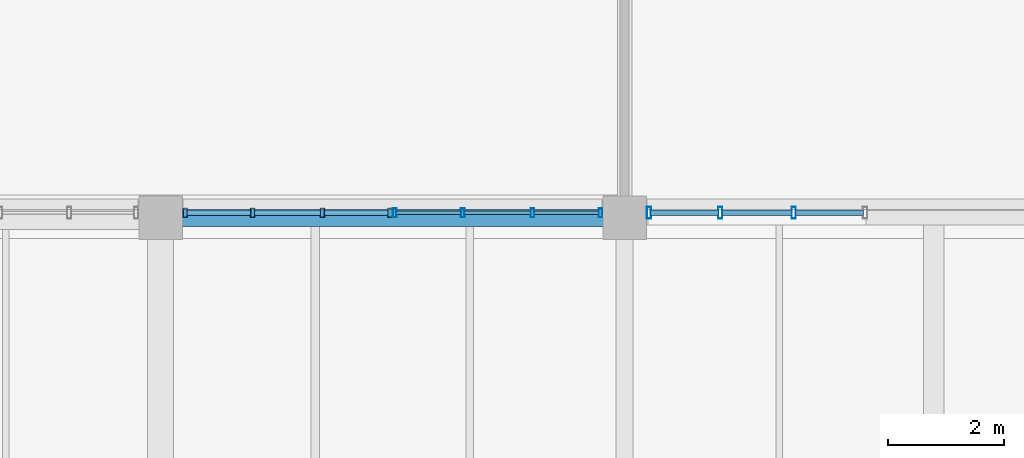
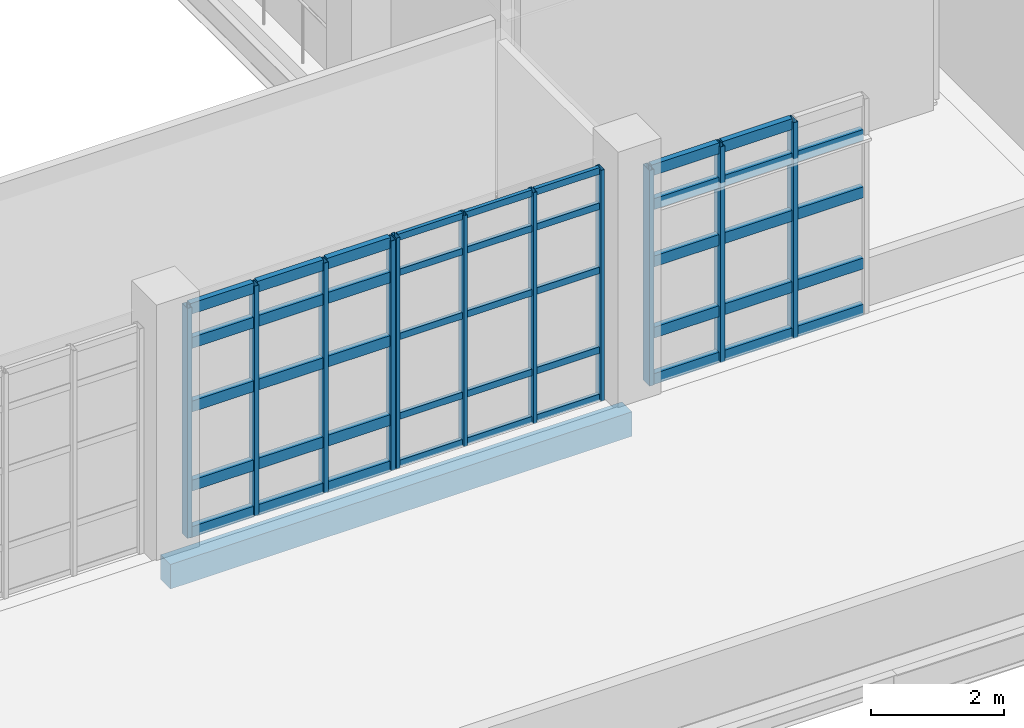
# One storey, part 17 of 102: 55 members, 1 beam, 3 elements without a shape of their own.
"""IFC4 building model written with IfcOpenShell, lengths in metres."""

from ifc_helpers import new_model, si_unit, derived_unit, direction, frame, origin, origin_2d, place, context, subcontext, project, spatial, rectangle, hollow_rectangle, extrude, material, layer, layer_set, material_profile, profile_set, type_object, element, aggregate, save


model = new_model("IFC4")

# Units and contexts
model_context = context("Model", 3, precision=1e-05, world=origin(), true_north=direction((0.0, 1.0)))
body_context = subcontext(model_context, "Body", "Model", "MODEL_VIEW")
ifc_project = project(units=[si_unit("LENGTHUNIT", "METRE"), si_unit("AREAUNIT", "SQUARE_METRE"), si_unit("VOLUMEUNIT", "CUBIC_METRE"), si_unit("PLANEANGLEUNIT", "RADIAN"), si_unit("MASSUNIT", "GRAM", prefix="KILO"), derived_unit("THERMALTRANSMITTANCEUNIT", [(si_unit("POWERUNIT", "WATT"), 1), (si_unit("LENGTHUNIT", "METRE"), -2), (si_unit("THERMODYNAMICTEMPERATUREUNIT", "KELVIN"), -1)])], contexts=[model_context])

# Site, building, storey
site_placement = place(None, origin())
site = spatial("IfcSite", under=ifc_project, at=site_placement, CompositionType="ELEMENT")
building_placement = place(site_placement, origin())
building = spatial("IfcBuilding", under=site, at=building_placement, Name="Nallur Shell Playhouse", CompositionType="ELEMENT")
storey_placement = place(building_placement, frame((0.0, 0.0, 15.0)))
storey = spatial("IfcBuildingStorey", under=building, at=storey_placement, Name="L04", CompositionType="ELEMENT", Elevation=15.0)

# Beam
ifc_material_1 = material(Name="Concrete M35", Category="concrete")
ifc_material_profile_1 = material_profile(ifc_material_1, rectangle(XDim=0.300048828125, YDim=0.449951171875, at=origin_2d()), Name="RC 300x450")
ifc_profile_set_1 = profile_set([ifc_material_profile_1], Name="Concrete M35")
beam_type = type_object("IfcBeamType", Name="BM-SPN-300x450", PredefinedType="SPANDREL", material=ifc_profile_set_1)
beam_placement = place(storey_placement, frame((48.0, 16.0, -0.485107421875), z_axis=(1.0, 0.0, 0.0), x_axis=(0.0, 1.0, 0.0)))
element("IfcBeam", 1, at=beam_placement, inside=storey, type_object=beam_type, Name="L04 girder X-B-752", PredefinedType="SPANDREL", context=body_context, shape_type="SweptSolid", body=[
    extrude(rectangle(XDim=0.300048828125, YDim=0.449951171875, at=origin_2d()), origin(), (0.0, 0.0, 1.0), 8.0),
])

# Curtain wall, members
ifc_material_2 = material(Name="Anodised Aluminium Double-Glazed Facade System", Category="aluminium")
ifc_layer_1 = layer(ifc_material_2, 0.159912109375)
ifc_layer_set_1 = layer_set([ifc_layer_1], Name="Anodised Aluminium Double-Glazed Facade System")
curtain_wall_type_1 = type_object("IfcCurtainWallType", Name="CW-UNIT-06", PredefinedType="NOTDEFINED", material=ifc_layer_set_1)
curtain_wall_1_placement = place(storey_placement, origin())
curtain_wall_1 = element("IfcCurtainWall", 2, at=curtain_wall_1_placement, inside=storey, type_object=curtain_wall_type_1, Name="Unitised curtain wall CW-134 (L04)", PredefinedType="NOTDEFINED")
ifc_material_3 = material(Name="Aluminium Alloy 6063-T6 Mullion", Category="aluminium")
ifc_material_profile_2 = material_profile(ifc_material_3, hollow_rectangle(XDim=0.080078125, YDim=0.159912109375, WallThickness=0.006103515625, at=origin_2d()), Name="RHS 160x80x6")
ifc_profile_set_2 = profile_set([ifc_material_profile_2], Name="Aluminium Alloy 6063-T6 Mullion")
member_type_1 = type_object("IfcMemberType", Name="MB-CW-MUL150", PredefinedType="MULLION", material=ifc_profile_set_2)
member_1_placement = place(storey_placement, frame((51.955078125, 16.090087890625, -0.014892578125), z_axis=(0.0, 0.0, 1.0), x_axis=(-1.0, 0.0, 0.0)))
member_1 = element("IfcMember", 3, at=member_1_placement, type_object=member_type_1, Name="CW-06 mullion 1", PredefinedType="MULLION", context=body_context, shape_type="SweptSolid", body=[
    extrude(hollow_rectangle(XDim=0.080078125, YDim=0.159912109375, WallThickness=0.006103515625, at=origin_2d()), origin(), (0.0, 0.0, 1.0), 4.2138671875),
])
member_2_placement = place(storey_placement, frame((50.791015625, 16.090087890625, -0.014892578125), z_axis=(0.0, 0.0, 1.0), x_axis=(-1.0, 0.0, 0.0)))
member_2 = element("IfcMember", 4, at=member_2_placement, type_object=member_type_1, Name="CW-06 mullion 2", PredefinedType="MULLION", context=body_context, shape_type="SweptSolid", body=[
    extrude(hollow_rectangle(XDim=0.080078125, YDim=0.159912109375, WallThickness=0.006103515625, at=origin_2d()), origin(), (0.0, 0.0, 1.0), 4.2138671875),
])
member_3_placement = place(storey_placement, frame((49.5869140625, 16.090087890625, -0.014892578125), z_axis=(0.0, 0.0, 1.0), x_axis=(-1.0, 0.0, 0.0)))
member_3 = element("IfcMember", 5, at=member_3_placement, type_object=member_type_1, Name="CW-06 mullion 3", PredefinedType="MULLION", context=body_context, shape_type="SweptSolid", body=[
    extrude(hollow_rectangle(XDim=0.080078125, YDim=0.159912109375, WallThickness=0.006103515625, at=origin_2d()), origin(), (0.0, 0.0, 1.0), 4.2138671875),
])
member_4_placement = place(storey_placement, frame((48.423095703125, 16.090087890625, -0.014892578125), z_axis=(0.0, 0.0, 1.0), x_axis=(-1.0, 0.0, 0.0)))
member_4 = element("IfcMember", 6, at=member_4_placement, type_object=member_type_1, Name="CW-06 mullion 4", PredefinedType="MULLION", context=body_context, shape_type="SweptSolid", body=[
    extrude(hollow_rectangle(XDim=0.080078125, YDim=0.159912109375, WallThickness=0.006103515625, at=origin_2d()), origin(), (0.0, 0.0, 1.0), 4.2138671875),
])

ifc_layer_2 = layer(ifc_material_2, 0.179931640625)
ifc_layer_set_2 = layer_set([ifc_layer_2], Name="Anodised Aluminium Double-Glazed Facade System")
curtain_wall_type_2 = type_object("IfcCurtainWallType", Name="CW-UNIT-05", PredefinedType="NOTDEFINED", material=ifc_layer_set_2)
curtain_wall_2_placement = place(storey_placement, origin())
curtain_wall_2 = element("IfcCurtainWall", 7, at=curtain_wall_2_placement, inside=storey, type_object=curtain_wall_type_2, Name="Unitised curtain wall CW-133 (L04)", PredefinedType="NOTDEFINED")
ifc_material_profile_3 = material_profile(ifc_material_3, hollow_rectangle(XDim=0.06494140625, YDim=0.159912109375, WallThickness=0.00390625, at=origin_2d()), Name="ALU 65x160x4")
ifc_profile_set_3 = profile_set([ifc_material_profile_3], Name="Aluminium Alloy 6063-T6 Mullion")
member_type_2 = type_object("IfcMemberType", Name="MB-CW-MUL160", PredefinedType="MULLION", material=ifc_profile_set_3)
member_5_placement = place(storey_placement, frame((55.58447265625, 16.090087890625, -0.014892578125), z_axis=(0.0, 0.0, 1.0), x_axis=(-1.0, 0.0, 0.0)))
member_5 = element("IfcMember", 8, at=member_5_placement, type_object=member_type_2, Name="CW-05 mullion 1", PredefinedType="MULLION", context=body_context, shape_type="SweptSolid", body=[
    extrude(hollow_rectangle(XDim=0.06494140625, YDim=0.159912109375, WallThickness=0.00390625, at=origin_2d()), origin(), (0.0, 0.0, 1.0), 4.23388671875),
])
member_6_placement = place(storey_placement, frame((54.4130859375, 16.090087890625, -0.014892578125), z_axis=(0.0, 0.0, 1.0), x_axis=(-1.0, 0.0, 0.0)))
member_6 = element("IfcMember", 9, at=member_6_placement, type_object=member_type_2, Name="CW-05 mullion 2", PredefinedType="MULLION", context=body_context, shape_type="SweptSolid", body=[
    extrude(hollow_rectangle(XDim=0.06494140625, YDim=0.159912109375, WallThickness=0.00390625, at=origin_2d()), origin(), (0.0, 0.0, 1.0), 4.23388671875),
])
member_7_placement = place(storey_placement, frame((53.208984375, 16.090087890625, -0.014892578125), z_axis=(0.0, 0.0, 1.0), x_axis=(-1.0, 0.0, 0.0)))
member_7 = element("IfcMember", 10, at=member_7_placement, type_object=member_type_2, Name="CW-05 mullion 3", PredefinedType="MULLION", context=body_context, shape_type="SweptSolid", body=[
    extrude(hollow_rectangle(XDim=0.06494140625, YDim=0.159912109375, WallThickness=0.00390625, at=origin_2d()), origin(), (0.0, 0.0, 1.0), 4.23388671875),
])
member_8_placement = place(storey_placement, frame((52.03759765625, 16.090087890625, -0.014892578125), z_axis=(0.0, 0.0, 1.0), x_axis=(-1.0, 0.0, 0.0)))
member_8 = element("IfcMember", 11, at=member_8_placement, type_object=member_type_2, Name="CW-05 mullion 4", PredefinedType="MULLION", context=body_context, shape_type="SweptSolid", body=[
    extrude(hollow_rectangle(XDim=0.06494140625, YDim=0.159912109375, WallThickness=0.00390625, at=origin_2d()), origin(), (0.0, 0.0, 1.0), 4.23388671875),
])

ifc_layer_3 = layer(ifc_material_2, 0.176025390625)
ifc_layer_set_3 = layer_set([ifc_layer_3], Name="Anodised Aluminium Double-Glazed Facade System")
curtain_wall_type_3 = type_object("IfcCurtainWallType", Name="CW-UNIT-04", PredefinedType="NOTDEFINED", material=ifc_layer_set_3)
curtain_wall_3_placement = place(storey_placement, origin())
curtain_wall_3 = element("IfcCurtainWall", 12, at=curtain_wall_3_placement, inside=storey, type_object=curtain_wall_type_3, Name="Unitised curtain wall CW-132 (L04)", PredefinedType="NOTDEFINED")
ifc_material_profile_4 = material_profile(ifc_material_3, hollow_rectangle(XDim=0.074951171875, YDim=0.199951171875, WallThickness=0.0048828125, at=origin_2d()), Name="ALU 75x200x5")
ifc_profile_set_4 = profile_set([ifc_material_profile_4], Name="Aluminium Alloy 6063-T6 Mullion")
member_type_3 = type_object("IfcMemberType", Name="MB-CW-MUL180", PredefinedType="MULLION", material=ifc_profile_set_4)
member_9_placement = place(storey_placement, frame((58.918701171875, 16.090087890625, -0.014892578125), z_axis=(0.0, 0.0, 1.0), x_axis=(-1.0, 0.0, 0.0)))
member_9 = element("IfcMember", 13, at=member_9_placement, type_object=member_type_3, Name="CW-04 mullion 2", PredefinedType="MULLION", context=body_context, shape_type="SweptSolid", body=[
    extrude(hollow_rectangle(XDim=0.074951171875, YDim=0.199951171875, WallThickness=0.0048828125, at=origin_2d()), origin(), (0.0, 0.0, 1.0), 3.953857421875),
])
member_10_placement = place(storey_placement, frame((57.65087890625, 16.090087890625, -0.014892578125), z_axis=(0.0, 0.0, 1.0), x_axis=(-1.0, 0.0, 0.0)))
member_10 = element("IfcMember", 14, at=member_10_placement, type_object=member_type_3, Name="CW-04 mullion 3", PredefinedType="MULLION", context=body_context, shape_type="SweptSolid", body=[
    extrude(hollow_rectangle(XDim=0.074951171875, YDim=0.199951171875, WallThickness=0.0048828125, at=origin_2d()), origin(), (0.0, 0.0, 1.0), 3.953857421875),
])
member_11_placement = place(storey_placement, frame((56.42041015625, 16.090087890625, -0.014892578125), z_axis=(0.0, 0.0, 1.0), x_axis=(-1.0, 0.0, 0.0)))
member_11 = element("IfcMember", 15, at=member_11_placement, type_object=member_type_3, Name="CW-04 mullion 4", PredefinedType="MULLION", context=body_context, shape_type="SweptSolid", body=[
    extrude(hollow_rectangle(XDim=0.074951171875, YDim=0.199951171875, WallThickness=0.0048828125, at=origin_2d()), origin(), (0.0, 0.0, 1.0), 3.953857421875),
])

# Member
ifc_material_4 = material(Name="Aluminium Alloy 6063-T6 Transom", Category="aluminium")
ifc_material_profile_5 = material_profile(ifc_material_4, hollow_rectangle(XDim=0.06494140625, YDim=0.1201171875, WallThickness=0.00390625, at=origin_2d()), Name="ALU 65x120x4")
ifc_profile_set_5 = profile_set([ifc_material_profile_5], Name="Aluminium Alloy 6063-T6 Transom")
member_type_4 = type_object("IfcMemberType", Name="MB-CW-TRN120", PredefinedType="USERDEFINED", material=ifc_profile_set_5)
member_12_placement = place(storey_placement, frame((55.56005859375, 16.090087890625, 0.032470703125), z_axis=(-1.0, 0.0, 0.0), x_axis=(0.0, -1.0, 0.0)))
member_12 = element("IfcMember", 16, at=member_12_placement, type_object=member_type_4, Name="CW-05 transom 1.1", ObjectType="TRANSOM", PredefinedType="USERDEFINED", context=body_context, shape_type="SweptSolid", body=[
    extrude(hollow_rectangle(XDim=0.06494140625, YDim=0.1201171875, WallThickness=0.00390625, at=origin_2d()), origin(), (0.0, 0.0, 1.0), 1.12255859375),
])

member_13_placement = place(storey_placement, frame((55.56005859375, 16.090087890625, 0.89990234375), z_axis=(-1.0, 0.0, 0.0), x_axis=(0.0, -1.0, 0.0)))
member_13 = element("IfcMember", 17, at=member_13_placement, type_object=member_type_4, Name="CW-05 transom 1.2", ObjectType="TRANSOM", PredefinedType="USERDEFINED", context=body_context, shape_type="SweptSolid", body=[
    extrude(hollow_rectangle(XDim=0.06494140625, YDim=0.1201171875, WallThickness=0.00390625, at=origin_2d()), origin(), (0.0, 0.0, 1.0), 1.12255859375),
])

member_14_placement = place(storey_placement, frame((55.56005859375, 16.090087890625, 2.360107421875), z_axis=(-1.0, 0.0, 0.0), x_axis=(0.0, -1.0, 0.0)))
member_14 = element("IfcMember", 18, at=member_14_placement, type_object=member_type_4, Name="CW-05 transom 1.3", ObjectType="TRANSOM", PredefinedType="USERDEFINED", context=body_context, shape_type="SweptSolid", body=[
    extrude(hollow_rectangle(XDim=0.06494140625, YDim=0.1201171875, WallThickness=0.00390625, at=origin_2d()), origin(), (0.0, 0.0, 1.0), 1.12255859375),
])

member_15_placement = place(storey_placement, frame((55.56005859375, 16.090087890625, 3.534912109375), z_axis=(-1.0, 0.0, 0.0), x_axis=(0.0, -1.0, 0.0)))
member_15 = element("IfcMember", 19, at=member_15_placement, type_object=member_type_4, Name="CW-05 transom 1.4", ObjectType="TRANSOM", PredefinedType="USERDEFINED", context=body_context, shape_type="SweptSolid", body=[
    extrude(hollow_rectangle(XDim=0.06494140625, YDim=0.1201171875, WallThickness=0.00390625, at=origin_2d()), origin(), (0.0, 0.0, 1.0), 1.12255859375),
])

member_16_placement = place(storey_placement, frame((55.56005859375, 16.090087890625, 4.1826171875), z_axis=(-1.0, 0.0, 0.0), x_axis=(0.0, -1.0, 0.0)))
member_16 = element("IfcMember", 20, at=member_16_placement, type_object=member_type_4, Name="CW-05 transom 1.5", ObjectType="TRANSOM", PredefinedType="USERDEFINED", context=body_context, shape_type="SweptSolid", body=[
    extrude(hollow_rectangle(XDim=0.06494140625, YDim=0.1201171875, WallThickness=0.00390625, at=origin_2d()), origin(), (0.0, 0.0, 1.0), 1.12255859375),
])

member_17_placement = place(storey_placement, frame((54.388427734375, 16.090087890625, 0.032470703125), z_axis=(-1.0, 0.0, 0.0), x_axis=(0.0, -1.0, 0.0)))
member_17 = element("IfcMember", 21, at=member_17_placement, type_object=member_type_4, Name="CW-05 transom 2.1", ObjectType="TRANSOM", PredefinedType="USERDEFINED", context=body_context, shape_type="SweptSolid", body=[
    extrude(hollow_rectangle(XDim=0.06494140625, YDim=0.1201171875, WallThickness=0.00390625, at=origin_2d()), origin(), (0.0, 0.0, 1.0), 1.155029296875),
])

member_18_placement = place(storey_placement, frame((54.388427734375, 16.090087890625, 0.89990234375), z_axis=(-1.0, 0.0, 0.0), x_axis=(0.0, -1.0, 0.0)))
member_18 = element("IfcMember", 22, at=member_18_placement, type_object=member_type_4, Name="CW-05 transom 2.2", ObjectType="TRANSOM", PredefinedType="USERDEFINED", context=body_context, shape_type="SweptSolid", body=[
    extrude(hollow_rectangle(XDim=0.06494140625, YDim=0.1201171875, WallThickness=0.00390625, at=origin_2d()), origin(), (0.0, 0.0, 1.0), 1.155029296875),
])

member_19_placement = place(storey_placement, frame((54.388427734375, 16.090087890625, 2.360107421875), z_axis=(-1.0, 0.0, 0.0), x_axis=(0.0, -1.0, 0.0)))
member_19 = element("IfcMember", 23, at=member_19_placement, type_object=member_type_4, Name="CW-05 transom 2.3", ObjectType="TRANSOM", PredefinedType="USERDEFINED", context=body_context, shape_type="SweptSolid", body=[
    extrude(hollow_rectangle(XDim=0.06494140625, YDim=0.1201171875, WallThickness=0.00390625, at=origin_2d()), origin(), (0.0, 0.0, 1.0), 1.155029296875),
])

member_20_placement = place(storey_placement, frame((54.388427734375, 16.090087890625, 3.534912109375), z_axis=(-1.0, 0.0, 0.0), x_axis=(0.0, -1.0, 0.0)))
member_20 = element("IfcMember", 24, at=member_20_placement, type_object=member_type_4, Name="CW-05 transom 2.4", ObjectType="TRANSOM", PredefinedType="USERDEFINED", context=body_context, shape_type="SweptSolid", body=[
    extrude(hollow_rectangle(XDim=0.06494140625, YDim=0.1201171875, WallThickness=0.00390625, at=origin_2d()), origin(), (0.0, 0.0, 1.0), 1.155029296875),
])

member_21_placement = place(storey_placement, frame((54.388427734375, 16.090087890625, 4.1826171875), z_axis=(-1.0, 0.0, 0.0), x_axis=(0.0, -1.0, 0.0)))
member_21 = element("IfcMember", 25, at=member_21_placement, type_object=member_type_4, Name="CW-05 transom 2.5", ObjectType="TRANSOM", PredefinedType="USERDEFINED", context=body_context, shape_type="SweptSolid", body=[
    extrude(hollow_rectangle(XDim=0.06494140625, YDim=0.1201171875, WallThickness=0.00390625, at=origin_2d()), origin(), (0.0, 0.0, 1.0), 1.155029296875),
])

member_22_placement = place(storey_placement, frame((53.1845703125, 16.090087890625, 0.032470703125), z_axis=(-1.0, 0.0, 0.0), x_axis=(0.0, -1.0, 0.0)))
member_22 = element("IfcMember", 26, at=member_22_placement, type_object=member_type_4, Name="CW-05 transom 3.1", ObjectType="TRANSOM", PredefinedType="USERDEFINED", context=body_context, shape_type="SweptSolid", body=[
    extrude(hollow_rectangle(XDim=0.06494140625, YDim=0.1201171875, WallThickness=0.00390625, at=origin_2d()), origin(), (0.0, 0.0, 1.0), 1.12255859375),
])

member_23_placement = place(storey_placement, frame((53.1845703125, 16.090087890625, 0.89990234375), z_axis=(-1.0, 0.0, 0.0), x_axis=(0.0, -1.0, 0.0)))
member_23 = element("IfcMember", 27, at=member_23_placement, type_object=member_type_4, Name="CW-05 transom 3.2", ObjectType="TRANSOM", PredefinedType="USERDEFINED", context=body_context, shape_type="SweptSolid", body=[
    extrude(hollow_rectangle(XDim=0.06494140625, YDim=0.1201171875, WallThickness=0.00390625, at=origin_2d()), origin(), (0.0, 0.0, 1.0), 1.12255859375),
])

member_24_placement = place(storey_placement, frame((53.1845703125, 16.090087890625, 2.360107421875), z_axis=(-1.0, 0.0, 0.0), x_axis=(0.0, -1.0, 0.0)))
member_24 = element("IfcMember", 28, at=member_24_placement, type_object=member_type_4, Name="CW-05 transom 3.3", ObjectType="TRANSOM", PredefinedType="USERDEFINED", context=body_context, shape_type="SweptSolid", body=[
    extrude(hollow_rectangle(XDim=0.06494140625, YDim=0.1201171875, WallThickness=0.00390625, at=origin_2d()), origin(), (0.0, 0.0, 1.0), 1.12255859375),
])

member_25_placement = place(storey_placement, frame((53.1845703125, 16.090087890625, 3.534912109375), z_axis=(-1.0, 0.0, 0.0), x_axis=(0.0, -1.0, 0.0)))
member_25 = element("IfcMember", 29, at=member_25_placement, type_object=member_type_4, Name="CW-05 transom 3.4", ObjectType="TRANSOM", PredefinedType="USERDEFINED", context=body_context, shape_type="SweptSolid", body=[
    extrude(hollow_rectangle(XDim=0.06494140625, YDim=0.1201171875, WallThickness=0.00390625, at=origin_2d()), origin(), (0.0, 0.0, 1.0), 1.12255859375),
])

member_26_placement = place(storey_placement, frame((53.1845703125, 16.090087890625, 4.1826171875), z_axis=(-1.0, 0.0, 0.0), x_axis=(0.0, -1.0, 0.0)))
member_26 = element("IfcMember", 30, at=member_26_placement, type_object=member_type_4, Name="CW-05 transom 3.5", ObjectType="TRANSOM", PredefinedType="USERDEFINED", context=body_context, shape_type="SweptSolid", body=[
    extrude(hollow_rectangle(XDim=0.06494140625, YDim=0.1201171875, WallThickness=0.00390625, at=origin_2d()), origin(), (0.0, 0.0, 1.0), 1.12255859375),
])

aggregate(curtain_wall_2, [member_5, member_6, member_7, member_8, member_12, member_13, member_14, member_15, member_16, member_17, member_18, member_19, member_20, member_21, member_22, member_23, member_24, member_25, member_26])

ifc_material_profile_6 = material_profile(ifc_material_4, hollow_rectangle(XDim=0.10009765625, YDim=0.199951171875, WallThickness=0.008056640625, at=origin_2d()), Name="RHS 200x100x8")
ifc_profile_set_6 = profile_set([ifc_material_profile_6], Name="Aluminium Alloy 6063-T6 Transom")
member_type_5 = type_object("IfcMemberType", Name="MB-CW-TRN140", PredefinedType="USERDEFINED", material=ifc_profile_set_6)
member_27_placement = place(storey_placement, frame((60.119384765625, 16.090087890625, 0.050048828125), z_axis=(-1.0, 0.0, 0.0), x_axis=(0.0, -1.0, 0.0)))
member_27 = element("IfcMember", 31, at=member_27_placement, type_object=member_type_5, Name="CW-04 transom 1.1", ObjectType="TRANSOM", PredefinedType="USERDEFINED", context=body_context, shape_type="SweptSolid", body=[
    extrude(hollow_rectangle(XDim=0.10009765625, YDim=0.199951171875, WallThickness=0.008056640625, at=origin_2d()), origin(), (0.0, 0.0, 1.0), 1.171142578125),
])

member_28_placement = place(storey_placement, frame((60.119384765625, 16.090087890625, 0.89990234375), z_axis=(-1.0, 0.0, 0.0), x_axis=(0.0, -1.0, 0.0)))
member_28 = element("IfcMember", 32, at=member_28_placement, type_object=member_type_5, Name="CW-04 transom 1.2", ObjectType="TRANSOM", PredefinedType="USERDEFINED", context=body_context, shape_type="SweptSolid", body=[
    extrude(hollow_rectangle(XDim=0.10009765625, YDim=0.199951171875, WallThickness=0.008056640625, at=origin_2d()), origin(), (0.0, 0.0, 1.0), 1.171142578125),
])

member_29_placement = place(storey_placement, frame((60.119384765625, 16.090087890625, 2.2041015625), z_axis=(-1.0, 0.0, 0.0), x_axis=(0.0, -1.0, 0.0)))
member_29 = element("IfcMember", 33, at=member_29_placement, type_object=member_type_5, Name="CW-04 transom 1.3", ObjectType="TRANSOM", PredefinedType="USERDEFINED", context=body_context, shape_type="SweptSolid", body=[
    extrude(hollow_rectangle(XDim=0.10009765625, YDim=0.199951171875, WallThickness=0.008056640625, at=origin_2d()), origin(), (0.0, 0.0, 1.0), 1.171142578125),
])

member_30_placement = place(storey_placement, frame((60.119384765625, 16.090087890625, 3.2548828125), z_axis=(-1.0, 0.0, 0.0), x_axis=(0.0, -1.0, 0.0)))
member_30 = element("IfcMember", 34, at=member_30_placement, type_object=member_type_5, Name="CW-04 transom 1.4", ObjectType="TRANSOM", PredefinedType="USERDEFINED", context=body_context, shape_type="SweptSolid", body=[
    extrude(hollow_rectangle(XDim=0.10009765625, YDim=0.199951171875, WallThickness=0.008056640625, at=origin_2d()), origin(), (0.0, 0.0, 1.0), 1.171142578125),
])

member_31_placement = place(storey_placement, frame((58.88916015625, 16.090087890625, 0.050048828125), z_axis=(-1.0, 0.0, 0.0), x_axis=(0.0, -1.0, 0.0)))
member_31 = element("IfcMember", 35, at=member_31_placement, type_object=member_type_5, Name="CW-04 transom 2.1", ObjectType="TRANSOM", PredefinedType="USERDEFINED", context=body_context, shape_type="SweptSolid", body=[
    extrude(hollow_rectangle(XDim=0.10009765625, YDim=0.199951171875, WallThickness=0.008056640625, at=origin_2d()), origin(), (0.0, 0.0, 1.0), 1.208740234375),
])

member_32_placement = place(storey_placement, frame((58.88916015625, 16.090087890625, 0.89990234375), z_axis=(-1.0, 0.0, 0.0), x_axis=(0.0, -1.0, 0.0)))
member_32 = element("IfcMember", 36, at=member_32_placement, type_object=member_type_5, Name="CW-04 transom 2.2", ObjectType="TRANSOM", PredefinedType="USERDEFINED", context=body_context, shape_type="SweptSolid", body=[
    extrude(hollow_rectangle(XDim=0.10009765625, YDim=0.199951171875, WallThickness=0.008056640625, at=origin_2d()), origin(), (0.0, 0.0, 1.0), 1.208740234375),
])

member_33_placement = place(storey_placement, frame((58.88916015625, 16.090087890625, 2.2041015625), z_axis=(-1.0, 0.0, 0.0), x_axis=(0.0, -1.0, 0.0)))
member_33 = element("IfcMember", 37, at=member_33_placement, type_object=member_type_5, Name="CW-04 transom 2.3", ObjectType="TRANSOM", PredefinedType="USERDEFINED", context=body_context, shape_type="SweptSolid", body=[
    extrude(hollow_rectangle(XDim=0.10009765625, YDim=0.199951171875, WallThickness=0.008056640625, at=origin_2d()), origin(), (0.0, 0.0, 1.0), 1.208740234375),
])

member_34_placement = place(storey_placement, frame((58.88916015625, 16.090087890625, 3.2548828125), z_axis=(-1.0, 0.0, 0.0), x_axis=(0.0, -1.0, 0.0)))
member_34 = element("IfcMember", 38, at=member_34_placement, type_object=member_type_5, Name="CW-04 transom 2.4", ObjectType="TRANSOM", PredefinedType="USERDEFINED", context=body_context, shape_type="SweptSolid", body=[
    extrude(hollow_rectangle(XDim=0.10009765625, YDim=0.199951171875, WallThickness=0.008056640625, at=origin_2d()), origin(), (0.0, 0.0, 1.0), 1.208740234375),
])

member_35_placement = place(storey_placement, frame((58.88916015625, 16.090087890625, 3.885009765625), z_axis=(-1.0, 0.0, 0.0), x_axis=(0.0, -1.0, 0.0)))
member_35 = element("IfcMember", 39, at=member_35_placement, type_object=member_type_5, Name="CW-04 transom 2.5", ObjectType="TRANSOM", PredefinedType="USERDEFINED", context=body_context, shape_type="SweptSolid", body=[
    extrude(hollow_rectangle(XDim=0.10009765625, YDim=0.199951171875, WallThickness=0.008056640625, at=origin_2d()), origin(), (0.0, 0.0, 1.0), 1.208740234375),
])

member_36_placement = place(storey_placement, frame((57.621337890625, 16.090087890625, 0.050048828125), z_axis=(-1.0, 0.0, 0.0), x_axis=(0.0, -1.0, 0.0)))
member_36 = element("IfcMember", 40, at=member_36_placement, type_object=member_type_5, Name="CW-04 transom 3.1", ObjectType="TRANSOM", PredefinedType="USERDEFINED", context=body_context, shape_type="SweptSolid", body=[
    extrude(hollow_rectangle(XDim=0.10009765625, YDim=0.199951171875, WallThickness=0.008056640625, at=origin_2d()), origin(), (0.0, 0.0, 1.0), 1.17138671875),
])

member_37_placement = place(storey_placement, frame((57.621337890625, 16.090087890625, 0.89990234375), z_axis=(-1.0, 0.0, 0.0), x_axis=(0.0, -1.0, 0.0)))
member_37 = element("IfcMember", 41, at=member_37_placement, type_object=member_type_5, Name="CW-04 transom 3.2", ObjectType="TRANSOM", PredefinedType="USERDEFINED", context=body_context, shape_type="SweptSolid", body=[
    extrude(hollow_rectangle(XDim=0.10009765625, YDim=0.199951171875, WallThickness=0.008056640625, at=origin_2d()), origin(), (0.0, 0.0, 1.0), 1.17138671875),
])

member_38_placement = place(storey_placement, frame((57.621337890625, 16.090087890625, 2.2041015625), z_axis=(-1.0, 0.0, 0.0), x_axis=(0.0, -1.0, 0.0)))
member_38 = element("IfcMember", 42, at=member_38_placement, type_object=member_type_5, Name="CW-04 transom 3.3", ObjectType="TRANSOM", PredefinedType="USERDEFINED", context=body_context, shape_type="SweptSolid", body=[
    extrude(hollow_rectangle(XDim=0.10009765625, YDim=0.199951171875, WallThickness=0.008056640625, at=origin_2d()), origin(), (0.0, 0.0, 1.0), 1.17138671875),
])

member_39_placement = place(storey_placement, frame((57.621337890625, 16.090087890625, 3.2548828125), z_axis=(-1.0, 0.0, 0.0), x_axis=(0.0, -1.0, 0.0)))
member_39 = element("IfcMember", 43, at=member_39_placement, type_object=member_type_5, Name="CW-04 transom 3.4", ObjectType="TRANSOM", PredefinedType="USERDEFINED", context=body_context, shape_type="SweptSolid", body=[
    extrude(hollow_rectangle(XDim=0.10009765625, YDim=0.199951171875, WallThickness=0.008056640625, at=origin_2d()), origin(), (0.0, 0.0, 1.0), 1.17138671875),
])

member_40_placement = place(storey_placement, frame((57.621337890625, 16.090087890625, 3.885009765625), z_axis=(-1.0, 0.0, 0.0), x_axis=(0.0, -1.0, 0.0)))
member_40 = element("IfcMember", 44, at=member_40_placement, type_object=member_type_5, Name="CW-04 transom 3.5", ObjectType="TRANSOM", PredefinedType="USERDEFINED", context=body_context, shape_type="SweptSolid", body=[
    extrude(hollow_rectangle(XDim=0.10009765625, YDim=0.199951171875, WallThickness=0.008056640625, at=origin_2d()), origin(), (0.0, 0.0, 1.0), 1.17138671875),
])

aggregate(curtain_wall_3, [member_9, member_10, member_11, member_27, member_28, member_29, member_30, member_31, member_32, member_33, member_34, member_35, member_36, member_37, member_38, member_39, member_40])

member_41_placement = place(storey_placement, frame((51.923095703125, 16.090087890625, 0.050048828125), z_axis=(-1.0, 0.0, 0.0), x_axis=(0.0, -1.0, 0.0)))
member_41 = element("IfcMember", 45, at=member_41_placement, type_object=member_type_5, Name="CW-06 transom 1.1", ObjectType="TRANSOM", PredefinedType="USERDEFINED", context=body_context, shape_type="SweptSolid", body=[
    extrude(hollow_rectangle(XDim=0.10009765625, YDim=0.199951171875, WallThickness=0.008056640625, at=origin_2d()), origin(), (0.0, 0.0, 1.0), 1.10009765625),
])

member_42_placement = place(storey_placement, frame((51.923095703125, 16.090087890625, 0.89990234375), z_axis=(-1.0, 0.0, 0.0), x_axis=(0.0, -1.0, 0.0)))
member_42 = element("IfcMember", 46, at=member_42_placement, type_object=member_type_5, Name="CW-06 transom 1.2", ObjectType="TRANSOM", PredefinedType="USERDEFINED", context=body_context, shape_type="SweptSolid", body=[
    extrude(hollow_rectangle(XDim=0.10009765625, YDim=0.199951171875, WallThickness=0.008056640625, at=origin_2d()), origin(), (0.0, 0.0, 1.0), 1.10009765625),
])

member_43_placement = place(storey_placement, frame((51.923095703125, 16.090087890625, 2.34912109375), z_axis=(-1.0, 0.0, 0.0), x_axis=(0.0, -1.0, 0.0)))
member_43 = element("IfcMember", 47, at=member_43_placement, type_object=member_type_5, Name="CW-06 transom 1.3", ObjectType="TRANSOM", PredefinedType="USERDEFINED", context=body_context, shape_type="SweptSolid", body=[
    extrude(hollow_rectangle(XDim=0.10009765625, YDim=0.199951171875, WallThickness=0.008056640625, at=origin_2d()), origin(), (0.0, 0.0, 1.0), 1.10009765625),
])

member_44_placement = place(storey_placement, frame((51.923095703125, 16.090087890625, 3.514892578125), z_axis=(-1.0, 0.0, 0.0), x_axis=(0.0, -1.0, 0.0)))
member_44 = element("IfcMember", 48, at=member_44_placement, type_object=member_type_5, Name="CW-06 transom 1.4", ObjectType="TRANSOM", PredefinedType="USERDEFINED", context=body_context, shape_type="SweptSolid", body=[
    extrude(hollow_rectangle(XDim=0.10009765625, YDim=0.199951171875, WallThickness=0.008056640625, at=origin_2d()), origin(), (0.0, 0.0, 1.0), 1.10009765625),
])

member_45_placement = place(storey_placement, frame((51.923095703125, 16.090087890625, 4.14501953125), z_axis=(-1.0, 0.0, 0.0), x_axis=(0.0, -1.0, 0.0)))
member_45 = element("IfcMember", 49, at=member_45_placement, type_object=member_type_5, Name="CW-06 transom 1.5", ObjectType="TRANSOM", PredefinedType="USERDEFINED", context=body_context, shape_type="SweptSolid", body=[
    extrude(hollow_rectangle(XDim=0.10009765625, YDim=0.199951171875, WallThickness=0.008056640625, at=origin_2d()), origin(), (0.0, 0.0, 1.0), 1.10009765625),
])

member_46_placement = place(storey_placement, frame((50.759033203125, 16.090087890625, 0.050048828125), z_axis=(-1.0, 0.0, 0.0), x_axis=(0.0, -1.0, 0.0)))
member_46 = element("IfcMember", 50, at=member_46_placement, type_object=member_type_5, Name="CW-06 transom 2.1", ObjectType="TRANSOM", PredefinedType="USERDEFINED", context=body_context, shape_type="SweptSolid", body=[
    extrude(hollow_rectangle(XDim=0.10009765625, YDim=0.199951171875, WallThickness=0.008056640625, at=origin_2d()), origin(), (0.0, 0.0, 1.0), 1.14013671875),
])

member_47_placement = place(storey_placement, frame((50.759033203125, 16.090087890625, 0.89990234375), z_axis=(-1.0, 0.0, 0.0), x_axis=(0.0, -1.0, 0.0)))
member_47 = element("IfcMember", 51, at=member_47_placement, type_object=member_type_5, Name="CW-06 transom 2.2", ObjectType="TRANSOM", PredefinedType="USERDEFINED", context=body_context, shape_type="SweptSolid", body=[
    extrude(hollow_rectangle(XDim=0.10009765625, YDim=0.199951171875, WallThickness=0.008056640625, at=origin_2d()), origin(), (0.0, 0.0, 1.0), 1.14013671875),
])

member_48_placement = place(storey_placement, frame((50.759033203125, 16.090087890625, 2.34912109375), z_axis=(-1.0, 0.0, 0.0), x_axis=(0.0, -1.0, 0.0)))
member_48 = element("IfcMember", 52, at=member_48_placement, type_object=member_type_5, Name="CW-06 transom 2.3", ObjectType="TRANSOM", PredefinedType="USERDEFINED", context=body_context, shape_type="SweptSolid", body=[
    extrude(hollow_rectangle(XDim=0.10009765625, YDim=0.199951171875, WallThickness=0.008056640625, at=origin_2d()), origin(), (0.0, 0.0, 1.0), 1.14013671875),
])

member_49_placement = place(storey_placement, frame((50.759033203125, 16.090087890625, 3.514892578125), z_axis=(-1.0, 0.0, 0.0), x_axis=(0.0, -1.0, 0.0)))
member_49 = element("IfcMember", 53, at=member_49_placement, type_object=member_type_5, Name="CW-06 transom 2.4", ObjectType="TRANSOM", PredefinedType="USERDEFINED", context=body_context, shape_type="SweptSolid", body=[
    extrude(hollow_rectangle(XDim=0.10009765625, YDim=0.199951171875, WallThickness=0.008056640625, at=origin_2d()), origin(), (0.0, 0.0, 1.0), 1.14013671875),
])

member_50_placement = place(storey_placement, frame((50.759033203125, 16.090087890625, 4.14501953125), z_axis=(-1.0, 0.0, 0.0), x_axis=(0.0, -1.0, 0.0)))
member_50 = element("IfcMember", 54, at=member_50_placement, type_object=member_type_5, Name="CW-06 transom 2.5", ObjectType="TRANSOM", PredefinedType="USERDEFINED", context=body_context, shape_type="SweptSolid", body=[
    extrude(hollow_rectangle(XDim=0.10009765625, YDim=0.199951171875, WallThickness=0.008056640625, at=origin_2d()), origin(), (0.0, 0.0, 1.0), 1.14013671875),
])

member_51_placement = place(storey_placement, frame((49.554931640625, 16.090087890625, 0.050048828125), z_axis=(-1.0, 0.0, 0.0), x_axis=(0.0, -1.0, 0.0)))
member_51 = element("IfcMember", 55, at=member_51_placement, type_object=member_type_5, Name="CW-06 transom 3.1", ObjectType="TRANSOM", PredefinedType="USERDEFINED", context=body_context, shape_type="SweptSolid", body=[
    extrude(hollow_rectangle(XDim=0.10009765625, YDim=0.199951171875, WallThickness=0.008056640625, at=origin_2d()), origin(), (0.0, 0.0, 1.0), 1.099853515625),
])

member_52_placement = place(storey_placement, frame((49.554931640625, 16.090087890625, 0.89990234375), z_axis=(-1.0, 0.0, 0.0), x_axis=(0.0, -1.0, 0.0)))
member_52 = element("IfcMember", 56, at=member_52_placement, type_object=member_type_5, Name="CW-06 transom 3.2", ObjectType="TRANSOM", PredefinedType="USERDEFINED", context=body_context, shape_type="SweptSolid", body=[
    extrude(hollow_rectangle(XDim=0.10009765625, YDim=0.199951171875, WallThickness=0.008056640625, at=origin_2d()), origin(), (0.0, 0.0, 1.0), 1.099853515625),
])

member_53_placement = place(storey_placement, frame((49.554931640625, 16.090087890625, 2.34912109375), z_axis=(-1.0, 0.0, 0.0), x_axis=(0.0, -1.0, 0.0)))
member_53 = element("IfcMember", 57, at=member_53_placement, type_object=member_type_5, Name="CW-06 transom 3.3", ObjectType="TRANSOM", PredefinedType="USERDEFINED", context=body_context, shape_type="SweptSolid", body=[
    extrude(hollow_rectangle(XDim=0.10009765625, YDim=0.199951171875, WallThickness=0.008056640625, at=origin_2d()), origin(), (0.0, 0.0, 1.0), 1.099853515625),
])

member_54_placement = place(storey_placement, frame((49.554931640625, 16.090087890625, 3.514892578125), z_axis=(-1.0, 0.0, 0.0), x_axis=(0.0, -1.0, 0.0)))
member_54 = element("IfcMember", 58, at=member_54_placement, type_object=member_type_5, Name="CW-06 transom 3.4", ObjectType="TRANSOM", PredefinedType="USERDEFINED", context=body_context, shape_type="SweptSolid", body=[
    extrude(hollow_rectangle(XDim=0.10009765625, YDim=0.199951171875, WallThickness=0.008056640625, at=origin_2d()), origin(), (0.0, 0.0, 1.0), 1.099853515625),
])

member_55_placement = place(storey_placement, frame((49.554931640625, 16.090087890625, 4.14501953125), z_axis=(-1.0, 0.0, 0.0), x_axis=(0.0, -1.0, 0.0)))
member_55 = element("IfcMember", 59, at=member_55_placement, type_object=member_type_5, Name="CW-06 transom 3.5", ObjectType="TRANSOM", PredefinedType="USERDEFINED", context=body_context, shape_type="SweptSolid", body=[
    extrude(hollow_rectangle(XDim=0.10009765625, YDim=0.199951171875, WallThickness=0.008056640625, at=origin_2d()), origin(), (0.0, 0.0, 1.0), 1.099853515625),
])

aggregate(curtain_wall_1, [member_1, member_2, member_3, member_4, member_41, member_42, member_43, member_44, member_45, member_46, member_47, member_48, member_49, member_50, member_51, member_52, member_53, member_54, member_55])

save(model, "model.ifc")
